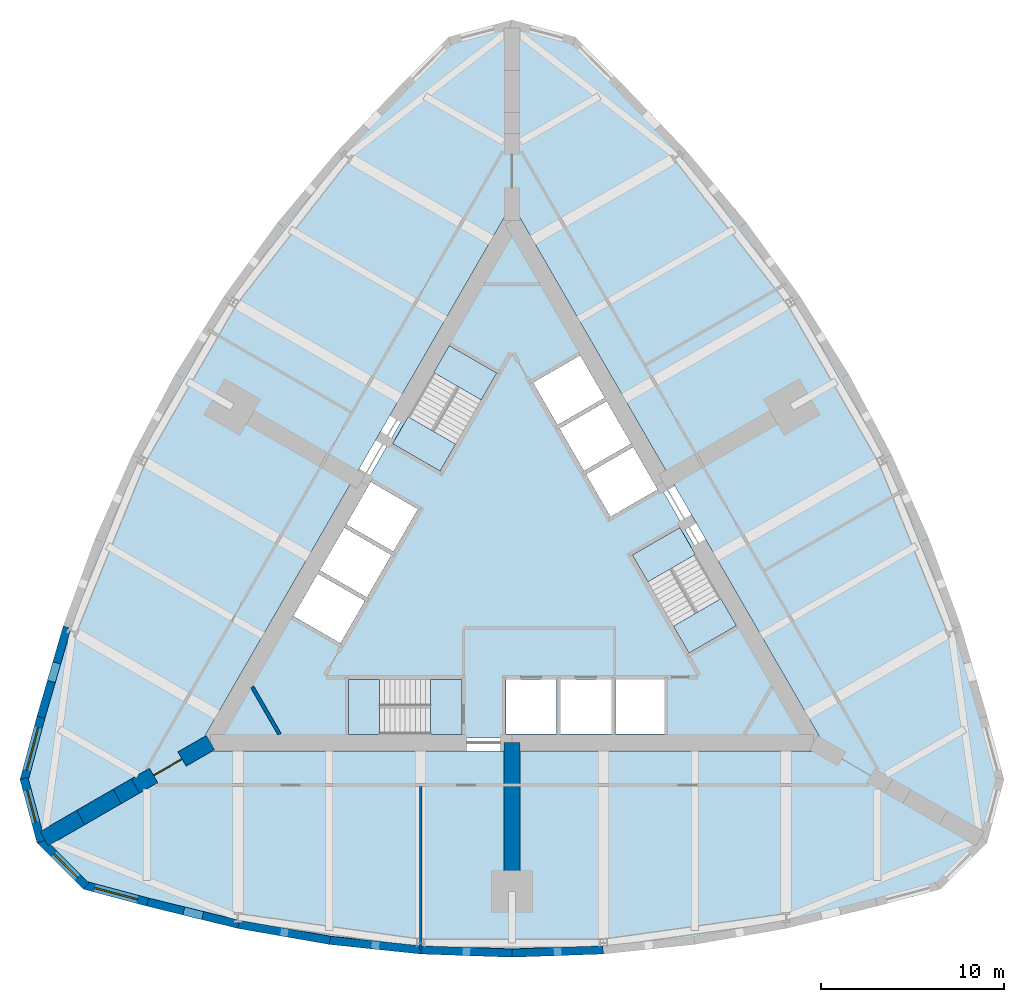
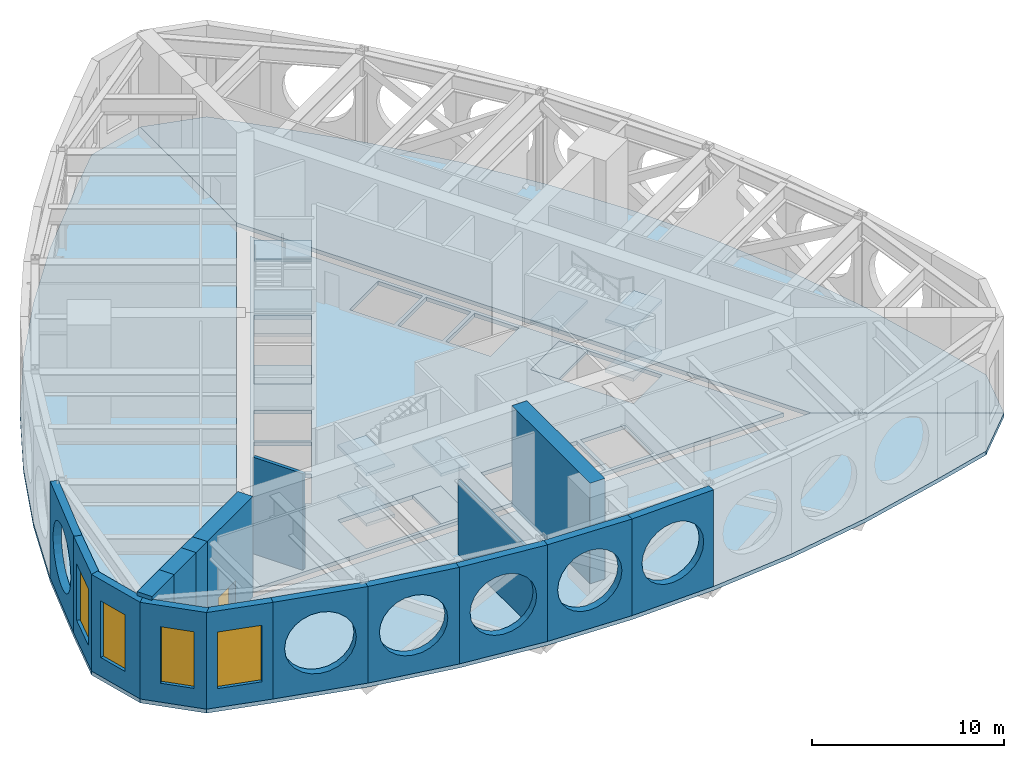
# One storey, part 2 of 7: 17 walls, 16 slabs, 4 windows, 1 door, 5 openings, 3 elements without a shape of their own.
"""IFC4 building model written with IfcOpenShell, lengths in metres."""

from ifc_helpers import new_model, si_unit, direction, frame, frame_2d, origin, place, context, subcontext, project, spatial, polyline, rectangle, outline, extrude, material, layer, layer_set, type_object, element, fill, aggregate, save


model = new_model("IFC4")

# Units and contexts
model_context = context("Model", 3, precision=1e-05, world=origin(), true_north=direction((0.0, 1.0)))
body_context = subcontext(model_context, "Body", "Model", "MODEL_VIEW")
ifc_project = project(units=[si_unit("LENGTHUNIT", "METRE"), si_unit("AREAUNIT", "SQUARE_METRE"), si_unit("VOLUMEUNIT", "CUBIC_METRE"), si_unit("PLANEANGLEUNIT", "RADIAN"), si_unit("MASSUNIT", "GRAM", prefix="KILO")], contexts=[model_context])

# Site, building, storey
site_placement = place(None, origin())
site = spatial("IfcSite", under=ifc_project, at=site_placement, CompositionType="ELEMENT")
building_placement = place(site_placement, origin())
building = spatial("IfcBuilding", under=site, at=building_placement, Name="Trikona Tower", CompositionType="ELEMENT")
storey_placement = place(building_placement, frame((0.0, 0.0, 189.5)))
storey = spatial("IfcBuildingStorey", under=building, at=storey_placement, Name="L51", CompositionType="ELEMENT", Elevation=189.5)

# Slabs
ifc_material_1 = material(Name="Concrete f'c 5000 psi lightweight on composite steel deck", Category="concrete")
ifc_layer_1 = layer(ifc_material_1, 0.25)
ifc_layer_set_1 = layer_set([ifc_layer_1], Name="Composite floor slab 250")
slab_type_1 = type_object("IfcSlabType", Name="Composite floor slab 250", PredefinedType="FLOOR", material=ifc_layer_set_1)
slab_1_placement = place(storey_placement, frame((0.0, 0.0, -0.25)))
element("IfcSlab", 1, at=slab_1_placement, inside=storey, type_object=slab_type_1, Name="Floor slab L51 core", PredefinedType="FLOOR", context=body_context, shape_type="SweptSolid", body=[
    extrude(outline(polyline([(-16.06689453125, -9.2763671875), (16.06689453125, -9.2763671875), (0.0, 18.552490234375), (-16.06689453125, -9.2763671875)]), holes=[polyline([(12.285400390625, -3.126220703125), (9.185302734375, 2.2431640625), (6.587158203125, 0.7431640625), (9.687255859375, -4.626220703125), (12.285400390625, -3.126220703125)]), polyline([(8.340087890625, -9.06640625), (8.340087890625, -6.086181640625), (5.659912109375, -6.086181640625), (5.659912109375, -9.06640625), (8.340087890625, -9.06640625)]), polyline([(5.390869140625, 2.835205078125), (7.9716796875, 4.3251953125), (6.631591796875, 6.646240234375), (4.05078125, 5.15625), (5.390869140625, 2.835205078125)]), polyline([(2.600830078125, 7.667724609375), (3.94091796875, 5.3466796875), (6.521484375, 6.8369140625), (5.181640625, 9.15771484375), (2.600830078125, 7.667724609375)]), polyline([(5.43994140625, -6.086181640625), (2.659912109375, -6.086181640625), (2.659912109375, -9.06640625), (5.43994140625, -9.06640625), (5.43994140625, -6.086181640625)]), polyline([(3.731689453125, 11.669189453125), (1.15087890625, 10.17919921875), (2.490966796875, 7.858154296875), (5.071533203125, 9.34814453125), (3.731689453125, 11.669189453125)]), polyline([(-0.340087890625, -6.086181640625), (-0.340087890625, -9.06640625), (2.43994140625, -9.06640625), (2.43994140625, -6.086181640625), (-0.340087890625, -6.086181640625)]), polyline([(-3.435302734375, 12.202392578125), (-6.535400390625, 6.8330078125), (-3.937255859375, 5.3330078125), (-0.837158203125, 10.702392578125), (-3.435302734375, 12.202392578125)]), polyline([(-8.949951171875, -9.076416015625), (-2.75, -9.076416015625), (-2.75, -6.076416015625), (-8.949951171875, -6.076416015625), (-8.949951171875, -9.076416015625)]), polyline([(-5.15087890625, 3.2509765625), (-7.731689453125, 4.740966796875), (-9.071533203125, 2.419921875), (-6.490966796875, 0.929931640625), (-5.15087890625, 3.2509765625)]), polyline([(-7.94091796875, -1.581298828125), (-6.600830078125, 0.739501953125), (-9.181640625, 2.2294921875), (-10.521484375, -0.09130859375), (-7.94091796875, -1.581298828125)]), polyline([(-11.9716796875, -2.602783203125), (-9.390869140625, -4.093017578125), (-8.05078125, -1.77197265625), (-10.631591796875, -0.281982421875), (-11.9716796875, -2.602783203125)])]), origin(), (0.0, 0.0, 1.0), 0.25),
])
slab_2_placement = place(storey_placement, frame((0.0, 0.0, -0.25)))
element("IfcSlab", 2, at=slab_2_placement, inside=storey, type_object=slab_type_1, Name="Floor slab L51 south", PredefinedType="FLOOR", context=body_context, shape_type="SweptSolid", body=[
    extrude(outline(polyline([(23.464111328125, -17.547119140625), (26.0, -15.010986328125), (17.279296875, -9.976318359375), (-17.279296875, -9.976318359375), (-26.0, -15.010986328125), (-23.464111328125, -17.547119140625), (-20.0, -18.47509765625), (-15.0, -19.7001953125), (-10.0, -20.5751953125), (-5.0, -21.10009765625), (0.0, -21.275146484375), (5.0, -21.10009765625), (10.0, -20.5751953125), (15.0, -19.7001953125), (20.0, -18.47509765625), (23.464111328125, -17.547119140625)])), origin(), (0.0, 0.0, 1.0), 0.25),
])
slab_3_placement = place(storey_placement, frame((0.0, 0.0, -0.25)))
element("IfcSlab", 3, at=slab_3_placement, inside=storey, type_object=slab_type_1, Name="Floor slab L51 north-east", PredefinedType="FLOOR", context=body_context, shape_type="SweptSolid", body=[
    extrude(outline(polyline([(3.464111328125, 29.093994140625), (0.0, 30.022216796875), (0.0, 19.95263671875), (17.279296875, -9.976318359375), (26.0, -15.010986328125), (26.92822265625, -11.547119140625), (26.0, -8.0830078125), (24.560791015625, -3.140380859375), (22.818603515625, 1.62744140625), (20.773193359375, 6.219970703125), (18.4248046875, 10.6376953125), (15.773193359375, 14.880126953125), (12.818603515625, 18.947998046875), (9.560791015625, 22.840576171875), (6.0, 26.55810546875), (3.464111328125, 29.093994140625)])), origin(), (0.0, 0.0, 1.0), 0.25),
])
slab_4_placement = place(storey_placement, frame((0.0, 0.0, -0.25)))
element("IfcSlab", 4, at=slab_4_placement, inside=storey, type_object=slab_type_1, Name="Floor slab L51 north-west", PredefinedType="FLOOR", context=body_context, shape_type="SweptSolid", body=[
    extrude(outline(polyline([(0.0, 19.95263671875), (0.0, 30.022216796875), (-3.464111328125, 29.093994140625), (-6.0, 26.55810546875), (-9.560791015625, 22.840576171875), (-12.818603515625, 18.947998046875), (-15.773193359375, 14.880126953125), (-18.4248046875, 10.6376953125), (-20.773193359375, 6.219970703125), (-22.818603515625, 1.62744140625), (-24.560791015625, -3.140380859375), (-26.0, -8.0830078125), (-26.92822265625, -11.547119140625), (-26.0, -15.010986328125), (-17.279296875, -9.976318359375), (0.0, 19.95263671875)])), origin(), (0.0, 0.0, 1.0), 0.25),
])

# Stair, slabs
ifc_material_2 = material(Name="Concrete f'c 5000 psi", Category="concrete")
stair_type = type_object("IfcStairType", Name="Core stair", PredefinedType="HALF_TURN_STAIR", material=ifc_material_2)
stair_1_placement = place(storey_placement, origin())
stair_1 = element("IfcStair", 5, at=stair_1_placement, inside=storey, type_object=stair_type, Name="Stair A L51", PredefinedType="HALF_TURN_STAIR")
ifc_material_3 = material(Name="Concrete f'c 5000 psi", Category="concrete")
ifc_layer_2 = layer(ifc_material_3, 0.199951171875)
ifc_layer_set_2 = layer_set([ifc_layer_2], Name="Stair landing 200")
slab_type_2 = type_object("IfcSlabType", Name="Stair landing 200", PredefinedType="LANDING", material=ifc_layer_set_2)
slab_5_placement = place(storey_placement, frame((0.0, 0.0, -0.199951171875)))
slab_5 = element("IfcSlab", 6, at=slab_5_placement, type_object=slab_type_2, Name="ST-A landing 1", PredefinedType="LANDING", context=body_context, shape_type="SweptSolid", body=[
    extrude(outline(polyline([(-4.452880859375, -6.076416015625), (-2.75, -6.076416015625), (-2.75, -9.076416015625), (-4.452880859375, -9.076416015625), (-4.452880859375, -6.076416015625)])), origin(), (0.0, 0.0, 1.0), 0.199951171875),
])
slab_6_placement = place(storey_placement, frame((0.0, 0.0, 1.39990234375)))
slab_6 = element("IfcSlab", 7, at=slab_6_placement, type_object=slab_type_2, Name="ST-A landing 2", PredefinedType="LANDING", context=body_context, shape_type="SweptSolid", body=[
    extrude(outline(polyline([(-8.949951171875, -6.076416015625), (-7.2470703125, -6.076416015625), (-7.2470703125, -9.076416015625), (-8.949951171875, -9.076416015625), (-8.949951171875, -6.076416015625)])), origin(), (0.0, 0.0, 1.0), 0.2001953125),
])
slab_7_placement = place(storey_placement, frame((0.0, 0.0, 3.0)))
slab_7 = element("IfcSlab", 8, at=slab_7_placement, type_object=slab_type_2, Name="ST-A landing 3", PredefinedType="LANDING", context=body_context, shape_type="SweptSolid", body=[
    extrude(outline(polyline([(-4.452880859375, -6.076416015625), (-2.75, -6.076416015625), (-2.75, -9.076416015625), (-4.452880859375, -9.076416015625), (-4.452880859375, -6.076416015625)])), origin(), (0.0, 0.0, 1.0), 0.199951171875),
])
slab_8_placement = place(storey_placement, frame((0.0, 0.0, 4.60009765625)))
slab_8 = element("IfcSlab", 9, at=slab_8_placement, type_object=slab_type_2, Name="ST-A landing 4", PredefinedType="LANDING", context=body_context, shape_type="SweptSolid", body=[
    extrude(outline(polyline([(-8.949951171875, -6.076416015625), (-7.2470703125, -6.076416015625), (-7.2470703125, -9.076416015625), (-8.949951171875, -9.076416015625), (-8.949951171875, -6.076416015625)])), origin(), (0.0, 0.0, 1.0), 0.199951171875),
])
aggregate(stair_1, [slab_5, slab_6, slab_7, slab_8])

stair_2_placement = place(storey_placement, origin())
stair_2 = element("IfcStair", 10, at=stair_2_placement, inside=storey, type_object=stair_type, Name="Stair B L51", PredefinedType="HALF_TURN_STAIR")
slab_9_placement = place(storey_placement, frame((0.0, 0.0, -0.199951171875)))
slab_9 = element("IfcSlab", 11, at=slab_9_placement, type_object=slab_type_2, Name="ST-B landing 1", PredefinedType="LANDING", context=body_context, shape_type="SweptSolid", body=[
    extrude(outline(polyline([(7.438720703125, -0.731689453125), (6.587158203125, 0.7431640625), (9.185302734375, 2.2431640625), (10.036865234375, 0.768310546875), (7.438720703125, -0.731689453125)])), origin(), (0.0, 0.0, 1.0), 0.199951171875),
])
slab_10_placement = place(storey_placement, frame((0.0, 0.0, 1.39990234375)))
slab_10 = element("IfcSlab", 12, at=slab_10_placement, type_object=slab_type_2, Name="ST-B landing 2", PredefinedType="LANDING", context=body_context, shape_type="SweptSolid", body=[
    extrude(outline(polyline([(9.687255859375, -4.626220703125), (8.835693359375, -3.1513671875), (11.433837890625, -1.6513671875), (12.285400390625, -3.126220703125), (9.687255859375, -4.626220703125)])), origin(), (0.0, 0.0, 1.0), 0.2001953125),
])
slab_11_placement = place(storey_placement, frame((0.0, 0.0, 3.0)))
slab_11 = element("IfcSlab", 13, at=slab_11_placement, type_object=slab_type_2, Name="ST-B landing 3", PredefinedType="LANDING", context=body_context, shape_type="SweptSolid", body=[
    extrude(outline(polyline([(7.438720703125, -0.731689453125), (6.587158203125, 0.7431640625), (9.185302734375, 2.2431640625), (10.036865234375, 0.768310546875), (7.438720703125, -0.731689453125)])), origin(), (0.0, 0.0, 1.0), 0.199951171875),
])
slab_12_placement = place(storey_placement, frame((0.0, 0.0, 4.60009765625)))
slab_12 = element("IfcSlab", 14, at=slab_12_placement, type_object=slab_type_2, Name="ST-B landing 4", PredefinedType="LANDING", context=body_context, shape_type="SweptSolid", body=[
    extrude(outline(polyline([(9.687255859375, -4.626220703125), (8.835693359375, -3.1513671875), (11.433837890625, -1.6513671875), (12.285400390625, -3.126220703125), (9.687255859375, -4.626220703125)])), origin(), (0.0, 0.0, 1.0), 0.199951171875),
])
aggregate(stair_2, [slab_9, slab_10, slab_11, slab_12])

stair_3_placement = place(storey_placement, origin())
stair_3 = element("IfcStair", 15, at=stair_3_placement, inside=storey, type_object=stair_type, Name="Stair C L51", PredefinedType="HALF_TURN_STAIR")
slab_13_placement = place(storey_placement, frame((0.0, 0.0, -0.199951171875)))
slab_13 = element("IfcSlab", 16, at=slab_13_placement, type_object=slab_type_2, Name="ST-C landing 1", PredefinedType="LANDING", context=body_context, shape_type="SweptSolid", body=[
    extrude(outline(polyline([(-3.085693359375, 6.807861328125), (-3.937255859375, 5.3330078125), (-6.535400390625, 6.8330078125), (-5.683837890625, 8.307861328125), (-3.085693359375, 6.807861328125)])), origin(), (0.0, 0.0, 1.0), 0.199951171875),
])
slab_14_placement = place(storey_placement, frame((0.0, 0.0, 1.39990234375)))
slab_14 = element("IfcSlab", 17, at=slab_14_placement, type_object=slab_type_2, Name="ST-C landing 2", PredefinedType="LANDING", context=body_context, shape_type="SweptSolid", body=[
    extrude(outline(polyline([(-0.837158203125, 10.702392578125), (-1.688720703125, 9.2275390625), (-4.286865234375, 10.7275390625), (-3.435302734375, 12.202392578125), (-0.837158203125, 10.702392578125)])), origin(), (0.0, 0.0, 1.0), 0.2001953125),
])
slab_15_placement = place(storey_placement, frame((0.0, 0.0, 3.0)))
slab_15 = element("IfcSlab", 18, at=slab_15_placement, type_object=slab_type_2, Name="ST-C landing 3", PredefinedType="LANDING", context=body_context, shape_type="SweptSolid", body=[
    extrude(outline(polyline([(-3.085693359375, 6.807861328125), (-3.937255859375, 5.3330078125), (-6.535400390625, 6.8330078125), (-5.683837890625, 8.307861328125), (-3.085693359375, 6.807861328125)])), origin(), (0.0, 0.0, 1.0), 0.199951171875),
])
slab_16_placement = place(storey_placement, frame((0.0, 0.0, 4.60009765625)))
slab_16 = element("IfcSlab", 19, at=slab_16_placement, type_object=slab_type_2, Name="ST-C landing 4", PredefinedType="LANDING", context=body_context, shape_type="SweptSolid", body=[
    extrude(outline(polyline([(-0.837158203125, 10.702392578125), (-1.688720703125, 9.2275390625), (-4.286865234375, 10.7275390625), (-3.435302734375, 12.202392578125), (-0.837158203125, 10.702392578125)])), origin(), (0.0, 0.0, 1.0), 0.199951171875),
])
aggregate(stair_3, [slab_13, slab_14, slab_15, slab_16])

# Wall, opening, window
ifc_material_4 = material(Name="Brick-faced precast concrete", Category="masonry")
ifc_layer_3 = layer(ifc_material_4, 0.449951171875)
ifc_layer_set_3 = layer_set([ifc_layer_3], Name="Brick-faced corner wall 450")
wall_type_1 = type_object("IfcWallType", Name="Brick-faced corner wall 450", PredefinedType="SOLIDWALL", material=ifc_layer_set_3)
wall_1_placement = place(storey_placement, frame((-25.78271484375, -8.14111328125, 0.0), z_axis=(0.0, 0.0, 1.0), x_axis=(-0.258823421857, -0.965924653531, 0.0)))
wall_1 = element("IfcWall", 20, at=wall_1_placement, inside=storey, type_object=wall_type_1, Name="External wall L51-32", PredefinedType="SOLIDWALL", context=body_context, shape_type="SweptSolid", body=[
    extrude(rectangle(XDim=3.58642578125, YDim=0.449951171875, at=frame_2d((1.793212890625, 0.0))), origin(), (0.0, 0.0, 1.0), 6.14990234375),
])
opening_1_placement = place(wall_1_placement, frame((0.593017578125, 0.0, 1.199951171875)))
opening_1 = element("IfcOpeningElement", 21, at=opening_1_placement, cuts=wall_1, Name="Opening W2436", PredefinedType="OPENING", context=body_context, shape_type="SweptSolid", body=[
    extrude(rectangle(XDim=2.39990234375, YDim=3.60009765625, at=frame_2d((1.199951171875, 1.800048828125))), frame((0.0, 0.23486328125, 0.0), z_axis=(0.0, -1.0, 0.0), x_axis=(1.0, 0.0, 0.0)), (0.0, 0.0, 1.0), 0.469970703125),
])
ifc_material_5 = material(Name="Aluminium-framed double glazing", Category="aluminium")
window_type_1 = type_object("IfcWindowType", Name="Window 2400x3600", PartitioningType="SINGLE_PANEL", PredefinedType="WINDOW", material=ifc_material_5)
window_1_placement = place(opening_1_placement, origin())
window_1 = element("IfcWindow", 22, at=window_1_placement, inside=storey, type_object=window_type_1, Name="Window L51-SMF", OverallHeight=3.60009765625, OverallWidth=2.39990234375, PartitioningType="SINGLE_PANEL", PredefinedType="WINDOW", context=body_context, shape_type="SweptSolid", body=[
    extrude(rectangle(XDim=2.39990234375, YDim=3.60009765625, at=frame_2d((1.199951171875, 1.800048828125))), frame((0.0, 0.030029296875, 0.0), z_axis=(0.0, -1.0, 0.0), x_axis=(1.0, 0.0, 0.0)), (0.0, 0.0, 1.0), 0.06005859375),
])
fill(opening_1, window_1)

wall_2_placement = place(storey_placement, frame((-26.7109375, -11.48876953125, 0.0), z_axis=(0.0, 0.0, 1.0), x_axis=(0.258823421857, -0.965924653531, 0.0)))
wall_2 = element("IfcWall", 23, at=wall_2_placement, inside=storey, type_object=wall_type_1, Name="External wall L51-33", PredefinedType="SOLIDWALL", context=body_context, shape_type="SweptSolid", body=[
    extrude(outline(polyline([(3.58642578125, 0.22509765625), (3.52685546875, 0.22509765625), (3.03515625, 0.09326171875), (3.0, 0.22509765625), (0.0, 0.22509765625), (0.0, -0.22509765625), (3.58642578125, -0.22509765625), (3.58642578125, 0.22509765625)])), origin(), (0.0, 0.0, 1.0), 6.14990234375),
])
opening_2_placement = place(wall_2_placement, frame((0.6748046875, 0.0, 1.199951171875)))
opening_2 = element("IfcOpeningElement", 24, at=opening_2_placement, cuts=wall_2, Name="Opening W1836", PredefinedType="OPENING", context=body_context, shape_type="SweptSolid", body=[
    extrude(rectangle(XDim=1.800048828125, YDim=3.60009765625, at=frame_2d((0.89990234375, 1.800048828125))), frame((0.0, 0.23486328125, 0.0), z_axis=(0.0, -1.0, 0.0), x_axis=(1.0, 0.0, 0.0)), (0.0, 0.0, 1.0), 0.469970703125),
])
ifc_material_6 = material(Name="Aluminium-framed double glazing", Category="aluminium")
window_type_2 = type_object("IfcWindowType", Name="Window 1800x3600", PartitioningType="SINGLE_PANEL", PredefinedType="WINDOW", material=ifc_material_6)
window_2_placement = place(opening_2_placement, origin())
window_2 = element("IfcWindow", 25, at=window_2_placement, inside=storey, type_object=window_type_2, Name="Window L51-SMF", OverallHeight=3.60009765625, OverallWidth=1.800048828125, PartitioningType="SINGLE_PANEL", PredefinedType="WINDOW", context=body_context, shape_type="SweptSolid", body=[
    extrude(rectangle(XDim=1.800048828125, YDim=3.60009765625, at=frame_2d((0.89990234375, 1.800048828125))), frame((0.0, 0.030029296875, 0.0), z_axis=(0.0, -1.0, 0.0), x_axis=(1.0, 0.0, 0.0)), (0.0, 0.0, 1.0), 0.06005859375),
])
fill(opening_2, window_2)

wall_3_placement = place(storey_placement, frame((-25.8408203125, -14.85205078125, 0.0), z_axis=(0.0, 0.0, 1.0), x_axis=(0.707106781187, -0.707106781187, 0.0)))
wall_3 = element("IfcWall", 26, at=wall_3_placement, inside=storey, type_object=wall_type_1, Name="External wall L51-34", PredefinedType="SOLIDWALL", context=body_context, shape_type="SweptSolid", body=[
    extrude(outline(polyline([(3.586181640625, 0.22509765625), (0.58642578125, 0.22509765625), (0.551025390625, 0.09326171875), (0.05908203125, 0.22509765625), (0.0, 0.22509765625), (0.0, -0.22509765625), (3.586181640625, -0.22509765625), (3.586181640625, 0.22509765625)])), origin(), (0.0, 0.0, 1.0), 6.14990234375),
])
opening_3_placement = place(wall_3_placement, frame((1.111328125, 0.0, 1.199951171875)))
opening_3 = element("IfcOpeningElement", 27, at=opening_3_placement, cuts=wall_3, Name="Opening W1836", PredefinedType="OPENING", context=body_context, shape_type="SweptSolid", body=[
    extrude(rectangle(XDim=1.800048828125, YDim=3.60009765625, at=frame_2d((0.89990234375, 1.800048828125))), frame((0.0, 0.23486328125, 0.0), z_axis=(0.0, -1.0, 0.0), x_axis=(1.0, 0.0, 0.0)), (0.0, 0.0, 1.0), 0.469970703125),
])
window_3_placement = place(opening_3_placement, origin())
window_3 = element("IfcWindow", 28, at=window_3_placement, inside=storey, type_object=window_type_2, Name="Window L51-SUB", OverallHeight=3.60009765625, OverallWidth=1.800048828125, PartitioningType="SINGLE_PANEL", PredefinedType="WINDOW", context=body_context, shape_type="SweptSolid", body=[
    extrude(rectangle(XDim=1.800048828125, YDim=3.60009765625, at=frame_2d((0.89990234375, 1.800048828125))), frame((0.0, 0.030029296875, 0.0), z_axis=(0.0, -1.0, 0.0), x_axis=(1.0, 0.0, 0.0)), (0.0, 0.0, 1.0), 0.06005859375),
])
fill(opening_3, window_3)

wall_4_placement = place(storey_placement, frame((-23.406005859375, -17.32958984375, 0.0), z_axis=(0.0, 0.0, 1.0), x_axis=(0.965924653531, -0.258823421857, 0.0)))
wall_4 = element("IfcWall", 29, at=wall_4_placement, inside=storey, type_object=wall_type_1, Name="External wall L51-35", PredefinedType="SOLIDWALL", context=body_context, shape_type="SweptSolid", body=[
    extrude(rectangle(XDim=3.58642578125, YDim=0.449951171875, at=frame_2d((1.793212890625, 0.0))), origin(), (0.0, 0.0, 1.0), 6.14990234375),
])
opening_4_placement = place(wall_4_placement, frame((0.593017578125, 0.0, 1.199951171875)))
opening_4 = element("IfcOpeningElement", 30, at=opening_4_placement, cuts=wall_4, Name="Opening W2436", PredefinedType="OPENING", context=body_context, shape_type="SweptSolid", body=[
    extrude(rectangle(XDim=2.39990234375, YDim=3.60009765625, at=frame_2d((1.199951171875, 1.800048828125))), frame((0.0, 0.23486328125, 0.0), z_axis=(0.0, -1.0, 0.0), x_axis=(1.0, 0.0, 0.0)), (0.0, 0.0, 1.0), 0.469970703125),
])
window_4_placement = place(opening_4_placement, origin())
window_4 = element("IfcWindow", 31, at=window_4_placement, inside=storey, type_object=window_type_1, Name="Window L51-SUB", OverallHeight=3.60009765625, OverallWidth=2.39990234375, PartitioningType="SINGLE_PANEL", PredefinedType="WINDOW", context=body_context, shape_type="SweptSolid", body=[
    extrude(rectangle(XDim=2.39990234375, YDim=3.60009765625, at=frame_2d((1.199951171875, 1.800048828125))), frame((0.0, 0.030029296875, 0.0), z_axis=(0.0, -1.0, 0.0), x_axis=(1.0, 0.0, 0.0)), (0.0, 0.0, 1.0), 0.06005859375),
])
fill(opening_4, window_4)

# Walls
ifc_material_7 = material(Name="Brick-faced precast concrete with louvred openings", Category="masonry")
ifc_layer_4 = layer(ifc_material_7, 0.449951171875)
ifc_layer_set_4 = layer_set([ifc_layer_4], Name="Brick-faced plant wall 450")
wall_type_2 = type_object("IfcWallType", Name="Brick-faced plant wall 450", PredefinedType="SOLIDWALL", material=ifc_layer_set_4)
wall_5_placement = place(storey_placement, frame((-19.946533203125, -18.256591796875, 0.0), z_axis=(0.0, 0.0, 1.0), x_axis=(0.971270024053, -0.237980126011, 0.0)))
element("IfcWall", 32, at=wall_5_placement, inside=storey, type_object=wall_type_2, Name="External wall L51-00", PredefinedType="SOLIDWALL", context=body_context, shape_type="SweptSolid", body=[
    extrude(outline(polyline([(0.0, 0.0), (5.14794921875, 0.0), (5.14794921875, 6.14990234375), (0.0, 6.14990234375), (0.0, 0.0)]), holes=[polyline([(4.52392578125, 3.074951171875), (4.45751953125, 3.57958984375), (4.2626953125, 4.050048828125), (3.952880859375, 4.453857421875), (3.548828125, 4.763671875), (3.07861328125, 4.95849609375), (2.573974609375, 5.02490234375), (2.069091796875, 4.95849609375), (1.598876953125, 4.763671875), (1.195068359375, 4.453857421875), (0.88525390625, 4.050048828125), (0.6904296875, 3.57958984375), (0.623779296875, 3.074951171875), (0.6904296875, 2.5703125), (0.88525390625, 2.10009765625), (1.195068359375, 1.696044921875), (1.598876953125, 1.38623046875), (2.069091796875, 1.19140625), (2.573974609375, 1.125), (3.07861328125, 1.19140625), (3.548828125, 1.38623046875), (3.952880859375, 1.696044921875), (4.2626953125, 2.10009765625), (4.45751953125, 2.5703125), (4.52392578125, 3.074951171875)])]), frame((0.0, 0.22509765625, 0.0), z_axis=(0.0, -1.0, 0.0), x_axis=(1.0, 0.0, 0.0)), (0.0, 0.0, 1.0), 0.449951171875),
])
wall_6_placement = place(storey_placement, frame((-14.961181640625, -19.478515625, 0.0), z_axis=(0.0, 0.0, 1.0), x_axis=(0.985030467156, -0.172380331752, 0.0)))
element("IfcWall", 33, at=wall_6_placement, inside=storey, type_object=wall_type_2, Name="External wall L51-01", PredefinedType="SOLIDWALL", context=body_context, shape_type="SweptSolid", body=[
    extrude(outline(polyline([(0.0, 0.0), (5.075927734375, 0.0), (5.075927734375, 6.14990234375), (0.0, 6.14990234375), (0.0, 0.0)]), holes=[polyline([(4.43798828125, 3.074951171875), (4.373291015625, 3.56689453125), (4.183349609375, 4.02490234375), (3.881591796875, 4.41845703125), (3.488037109375, 4.720458984375), (3.02978515625, 4.910400390625), (2.5380859375, 4.97509765625), (2.046142578125, 4.910400390625), (1.587890625, 4.720458984375), (1.194580078125, 4.41845703125), (0.892578125, 4.02490234375), (0.70263671875, 3.56689453125), (0.637939453125, 3.074951171875), (0.70263671875, 2.583251953125), (0.892578125, 2.125), (1.194580078125, 1.7314453125), (1.587890625, 1.4296875), (2.046142578125, 1.23974609375), (2.5380859375, 1.175048828125), (3.02978515625, 1.23974609375), (3.488037109375, 1.4296875), (3.881591796875, 1.7314453125), (4.183349609375, 2.125), (4.373291015625, 2.583251953125), (4.43798828125, 3.074951171875)])]), frame((0.0, 0.22509765625, 0.0), z_axis=(0.0, -1.0, 0.0), x_axis=(1.0, 0.0, 0.0)), (0.0, 0.0, 1.0), 0.449951171875),
])
wall_7_placement = place(storey_placement, frame((-9.9765625, -20.351318359375, 0.0), z_axis=(0.0, 0.0, 1.0), x_axis=(0.994529640305, -0.104454748843, 0.0)))
element("IfcWall", 34, at=wall_7_placement, inside=storey, type_object=wall_type_2, Name="External wall L51-02", PredefinedType="SOLIDWALL", context=body_context, shape_type="SweptSolid", body=[
    extrude(outline(polyline([(0.0, 0.0), (5.027587890625, 0.0), (5.027587890625, 6.14990234375), (0.0, 6.14990234375), (0.0, 0.0)]), holes=[polyline([(4.413818359375, 3.074951171875), (4.34912109375, 3.56689453125), (4.1591796875, 4.02490234375), (3.857177734375, 4.41845703125), (3.463623046875, 4.720458984375), (3.005615234375, 4.910400390625), (2.513671875, 4.97509765625), (2.02197265625, 4.910400390625), (1.563720703125, 4.720458984375), (1.170166015625, 4.41845703125), (0.868408203125, 4.02490234375), (0.678466796875, 3.56689453125), (0.61376953125, 3.074951171875), (0.678466796875, 2.583251953125), (0.868408203125, 2.125), (1.170166015625, 1.7314453125), (1.563720703125, 1.4296875), (2.02197265625, 1.23974609375), (2.513671875, 1.175048828125), (3.005615234375, 1.23974609375), (3.463623046875, 1.4296875), (3.857177734375, 1.7314453125), (4.1591796875, 2.125), (4.34912109375, 2.583251953125), (4.413818359375, 3.074951171875)])]), frame((0.0, 0.22509765625, 0.0), z_axis=(0.0, -1.0, 0.0), x_axis=(1.0, 0.0, 0.0)), (0.0, 0.0, 1.0), 0.449951171875),
])
for number, where, z_axis, x_axis, name in (
    (35, (-4.9921875, -20.875244140625, 0.0), (0.0, 0.0, 1.0), (0.999387720943, -0.034988329879, 0.0), "External wall L51-03"),
    (36, (-0.0078125, -21.05029296875, 0.0), (0.0, 0.0, 1.0), (0.999387720943, 0.034988329879, 0.0), "External wall L51-04"),
):
    element("IfcWall", number, at=place(storey_placement, frame(where, z_axis=z_axis, x_axis=x_axis)), inside=storey, type_object=wall_type_2, Name=name, PredefinedType="SOLIDWALL", context=body_context, shape_type="SweptSolid", body=[
        extrude(outline(polyline([(0.0, 0.0), (5.003173828125, 0.0), (5.003173828125, 6.14990234375), (0.0, 6.14990234375), (0.0, 0.0)]), holes=[polyline([(4.401611328125, 3.074951171875), (4.3369140625, 3.56689453125), (4.14697265625, 4.02490234375), (3.844970703125, 4.41845703125), (3.451416015625, 4.720458984375), (2.993408203125, 4.910400390625), (2.50146484375, 4.97509765625), (2.009765625, 4.910400390625), (1.551513671875, 4.720458984375), (1.157958984375, 4.41845703125), (0.856201171875, 4.02490234375), (0.666259765625, 3.56689453125), (0.6015625, 3.074951171875), (0.666259765625, 2.583251953125), (0.856201171875, 2.125), (1.157958984375, 1.7314453125), (1.551513671875, 1.4296875), (2.009765625, 1.23974609375), (2.50146484375, 1.175048828125), (2.993408203125, 1.23974609375), (3.451416015625, 1.4296875), (3.844970703125, 1.7314453125), (4.14697265625, 2.125), (4.3369140625, 2.583251953125), (4.401611328125, 3.074951171875)])]), frame((0.0, 0.22509765625, 0.0), z_axis=(0.0, -1.0, 0.0), x_axis=(1.0, 0.0, 0.0)), (0.0, 0.0, 1.0), 0.449951171875),
    ])
wall_8_placement = place(storey_placement, frame((-24.344970703125, -3.203125, 0.0), z_axis=(0.0, 0.0, 1.0), x_axis=(-0.279528287117, -0.960137457191, 0.0)))
element("IfcWall", 37, at=wall_8_placement, inside=storey, type_object=wall_type_2, Name="External wall L51-31", PredefinedType="SOLIDWALL", context=body_context, shape_type="SweptSolid", body=[
    extrude(outline(polyline([(0.0, 0.0), (5.14794921875, 0.0), (5.14794921875, 6.14990234375), (0.0, 6.14990234375), (0.0, 0.0)]), holes=[polyline([(4.52392578125, 3.074951171875), (4.45751953125, 3.57958984375), (4.2626953125, 4.050048828125), (3.952880859375, 4.453857421875), (3.548828125, 4.763671875), (3.07861328125, 4.95849609375), (2.573974609375, 5.02490234375), (2.069091796875, 4.95849609375), (1.598876953125, 4.763671875), (1.195068359375, 4.453857421875), (0.88525390625, 4.050048828125), (0.6904296875, 3.57958984375), (0.623779296875, 3.074951171875), (0.6904296875, 2.5703125), (0.88525390625, 2.10009765625), (1.195068359375, 1.696044921875), (1.598876953125, 1.38623046875), (2.069091796875, 1.19140625), (2.573974609375, 1.125), (3.07861328125, 1.19140625), (3.548828125, 1.38623046875), (3.952880859375, 1.696044921875), (4.2626953125, 2.10009765625), (4.45751953125, 2.5703125), (4.52392578125, 3.074951171875)])]), frame((0.0, 0.22509765625, 0.0), z_axis=(0.0, -1.0, 0.0), x_axis=(1.0, 0.0, 0.0)), (0.0, 0.0, 1.0), 0.449951171875),
])

# Wall, opening, door
ifc_material_8 = material(Name="Concrete f'c 10000 psi", Category="concrete")
ifc_layer_5 = layer(ifc_material_8, 0.89990234375)
ifc_layer_set_5 = layer_set([ifc_layer_5], Name="Buttress wall 900")
wall_type_3 = type_object("IfcWallType", Name="Buttress wall 900", PredefinedType="SHEAR", material=ifc_layer_set_5)
wall_9_placement = place(storey_placement, frame((-16.5, -9.5263671875, 0.0), z_axis=(0.0, 0.0, 1.0), x_axis=(-0.866031398331, -0.499989616998, 0.0)))
wall_9 = element("IfcWall", 38, at=wall_9_placement, inside=storey, type_object=wall_type_3, Name="Buttress wall 3", PredefinedType="SHEAR", context=body_context, shape_type="SweptSolid", body=[
    extrude(rectangle(XDim=4.74609375, YDim=0.89990234375, at=frame_2d((2.373046875, 0.0))), origin(), (0.0, 0.0, 1.0), 6.39990234375),
])
opening_5_placement = place(wall_9_placement, frame((1.800048828125, 0.0, 0.0)))
opening_5 = element("IfcOpeningElement", 39, at=opening_5_placement, cuts=wall_9, Name="Opening D10", PredefinedType="OPENING", context=body_context, shape_type="SweptSolid", body=[
    extrude(rectangle(XDim=1.800048828125, YDim=2.1298828125, at=frame_2d((0.89990234375, 1.06494140625))), frame((0.0, 0.4599609375, 0.0), z_axis=(0.0, -1.0, 0.0), x_axis=(1.0, 0.0, 0.0)), (0.0, 0.0, 1.0), 0.919921875),
])
ifc_material_9 = material(Name="Hollow metal door and frame", Category="steel")
door_type = type_object("IfcDoorType", Name="Cross-corridor door pair 1800x2130", OperationType="DOUBLE_DOOR_DOUBLE_SWING", PredefinedType="DOOR", material=ifc_material_9)
door_placement = place(opening_5_placement, origin())
door = element("IfcDoor", 40, at=door_placement, inside=storey, type_object=door_type, Name="Cross-corridor door 3", OperationType="DOUBLE_DOOR_DOUBLE_SWING", OverallHeight=2.1298828125, OverallWidth=1.800048828125, PredefinedType="DOOR", context=body_context, shape_type="SweptSolid", body=[
    extrude(rectangle(XDim=1.800048828125, YDim=2.1298828125, at=frame_2d((0.89990234375, 1.06494140625))), frame((0.0, 0.02490234375, 0.0), z_axis=(0.0, -1.0, 0.0), x_axis=(1.0, 0.0, 0.0)), (0.0, 0.0, 1.0), 0.050048828125),
])
fill(opening_5, door)

# Walls
wall_10_placement = place(storey_placement, frame((-20.6103515625, -11.8994140625, 0.0), z_axis=(0.0, 0.0, 1.0), x_axis=(-0.866009537788, -0.500027479704, 0.0)))
element("IfcWall", 41, at=wall_10_placement, inside=storey, type_object=wall_type_3, Name="Buttress wall 3 part 2", PredefinedType="SHEAR", context=body_context, shape_type="SweptSolid", body=[
    extrude(rectangle(XDim=1.15478515625, YDim=0.89990234375, at=frame_2d((0.577392578125, 0.0))), origin(), (0.0, 0.0, 1.0), 6.39990234375),
])
for number, where, z_axis, x_axis, name in (
    (42, (-21.6103515625, -12.476806640625, 0.0), (0.0, 0.0, 1.0), (-0.866055313784, -0.499948190782, 0.0), "Buttress wall 3 part 3"),
    (43, (-23.6103515625, -13.63134765625, 0.0), (0.0, 0.0, 1.0), (-0.866009537788, -0.500027479704, 0.0), "Buttress wall 3 part 4"),
):
    element("IfcWall", number, at=place(storey_placement, frame(where, z_axis=z_axis, x_axis=x_axis)), inside=storey, type_object=wall_type_3, Name=name, PredefinedType="SHEAR", context=body_context, shape_type="SweptSolid", body=[
        extrude(rectangle(XDim=2.309326171875, YDim=0.89990234375, at=frame_2d((1.15478515625, 0.0))), origin(), (0.0, 0.0, 1.0), 6.39990234375),
    ])
ifc_material_10 = material(Name="Concrete f'c 10000 psi", Category="concrete")
ifc_layer_6 = layer(ifc_material_10, 0.89990234375)
ifc_layer_set_6 = layer_set([ifc_layer_6], Name="Outrigger wall 900")
wall_type_4 = type_object("IfcWallType", Name="Outrigger wall 900", PredefinedType="SHEAR", material=ifc_layer_set_6)
wall_11_placement = place(storey_placement, frame((0.0, -9.5263671875, 0.0), z_axis=(0.0, 0.0, 1.0), x_axis=(0.0, -1.0, 0.0)))
element("IfcWall", 44, at=wall_11_placement, inside=storey, type_object=wall_type_4, Name="Outrigger wall 1", PredefinedType="SHEAR", context=body_context, shape_type="SweptSolid", body=[
    extrude(rectangle(XDim=8.154052734375, YDim=0.89990234375, at=frame_2d((4.0771484375, 0.0))), origin(), (0.0, 0.0, 1.0), 6.39990234375),
])
ifc_material_11 = material(Name="Metal stud and gypsum board, 1-hour acoustic", Category="gypsum")
ifc_layer_7 = layer(ifc_material_11, 0.14990234375)
ifc_layer_set_7 = layer_set([ifc_layer_7], Name="Party wall 150")
wall_type_5 = type_object("IfcWallType", Name="Party wall 150", PredefinedType="PARTITIONING", material=ifc_layer_set_7)
wall_12_placement = place(storey_placement, frame((-5.0, -11.92626953125, 0.0), z_axis=(0.0, 0.0, 1.0), x_axis=(0.0, -1.0, 0.0)))
element("IfcWall", 45, at=wall_12_placement, inside=storey, type_object=wall_type_5, Name="Partition L51 F1 u-5", PredefinedType="PARTITIONING", context=body_context, shape_type="SweptSolid", body=[
    extrude(rectangle(XDim=8.922607421875, YDim=0.14990234375, at=frame_2d((4.46142578125, 0.0))), origin(), (0.0, 0.0, 1.0), 4.75),
])
ifc_material_12 = material(Name="Concrete f'c 8000 psi", Category="concrete")
ifc_layer_8 = layer(ifc_material_12, 0.199951171875)
ifc_layer_set_8 = layer_set([ifc_layer_8], Name="Shaft wall 200")
wall_type_6 = type_object("IfcWallType", Name="Shaft wall 200", PredefinedType="SOLIDWALL", material=ifc_layer_set_8)
wall_13_placement = place(storey_placement, frame((-12.718505859375, -9.076416015625, 0.0), z_axis=(0.0, 0.0, 1.0), x_axis=(-0.499952404951, 0.866052881055, 0.0)))
element("IfcWall", 46, at=wall_13_placement, inside=storey, type_object=wall_type_6, Name="Riser wall L51-RS3", PredefinedType="SOLIDWALL", context=body_context, shape_type="SweptSolid", body=[
    extrude(rectangle(XDim=3.002197265625, YDim=0.199951171875, at=frame_2d((1.5009765625, 0.0))), origin(), (0.0, 0.0, 1.0), 6.14990234375),
])

save(model, "model.ifc")
